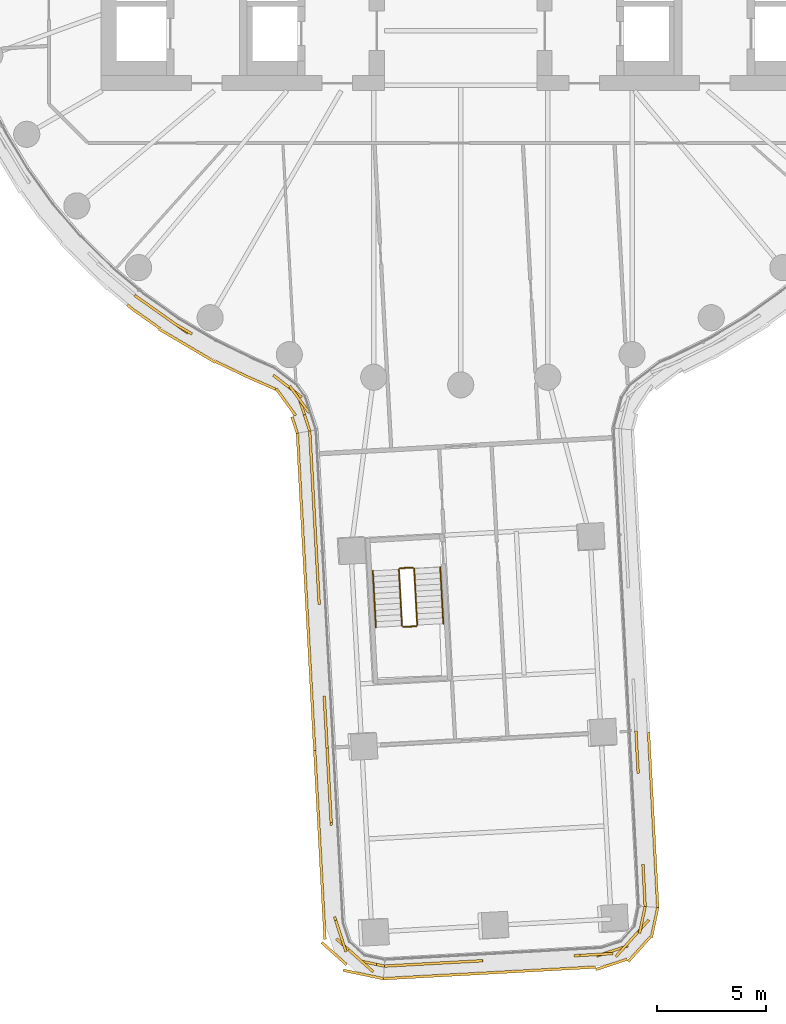
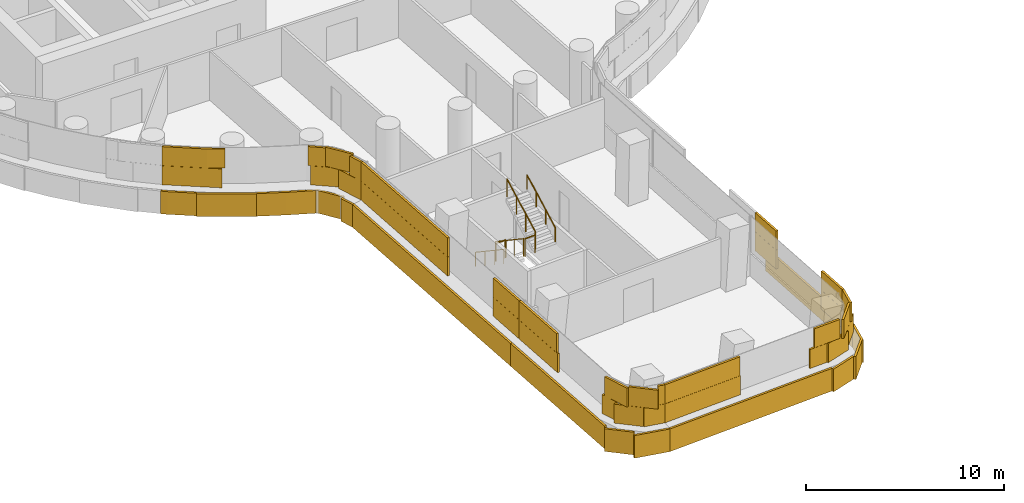
# One storey, part 25 of 31: 6 railings, 5 coverings.
"""IFC4 building model written with IfcOpenShell, lengths in metres."""

from ifc_helpers import new_model, si_unit, direction, frame, origin, origin_2d, place, context, subcontext, project, spatial, rectangle, circle, extrude, material, layer, layer_set, type_object, element, save


model = new_model("IFC4")

# Units and contexts
model_context = context("Model", 3, precision=1e-05, world=origin(), true_north=direction((0.0, 1.0)))
body_context = subcontext(model_context, "Body", "Model", "MODEL_VIEW")
ifc_project = project(units=[si_unit("LENGTHUNIT", "METRE"), si_unit("AREAUNIT", "SQUARE_METRE"), si_unit("VOLUMEUNIT", "CUBIC_METRE"), si_unit("PLANEANGLEUNIT", "RADIAN"), si_unit("MASSUNIT", "GRAM", prefix="KILO")], contexts=[model_context])

# Site, building, storey
site_placement = place(None, origin())
site = spatial("IfcSite", under=ifc_project, at=site_placement, CompositionType="ELEMENT")
building_placement = place(site_placement, origin())
building = spatial("IfcBuilding", under=site, at=building_placement, Name="Tamarind Cross Interchange Tower", CompositionType="ELEMENT")
storey_placement = place(building_placement, frame((0.0, 0.0, 45.25)))
storey = spatial("IfcBuildingStorey", under=building, at=storey_placement, Name="L09", CompositionType="ELEMENT", Elevation=45.25)

# Railings
ifc_material_1 = material(Name="Stair guard")
railing_type_1 = type_object("IfcRailingType", Name="Stair guard", PredefinedType="GUARDRAIL", material=ifc_material_1)
railing_1_placement = place(storey_placement, frame((-2.83642578125, -31.46923828125, 0.17041015625)))
element("IfcRailing", 1, at=railing_1_placement, inside=storey, type_object=railing_type_1, Name="L09 ST6 stair guard 1", PredefinedType="GUARDRAIL", context=body_context, shape_type="SweptSolid", body=[
    extrude(circle(Radius=0.02392578125, at=origin_2d()), frame((0.0, 0.0, 1.076171875), z_axis=(0.045702405566, -0.83505048246, 0.548271813855), x_axis=(0.998505663725, 0.054648325775, 0.0)), (0.0, 0.0, 1.0), 3.109130859375),
    extrude(circle(Radius=0.02099609375, at=origin_2d()), origin(), (0.0, 0.0, 1.0), 1.052001953125),
    extrude(circle(Radius=0.02099609375, at=origin_2d()), frame((0.04736328125, -0.865478515625, 0.568115234375)), (0.0, 0.0, 1.0), 1.052001953125),
    extrude(circle(Radius=0.02099609375, at=origin_2d()), frame((0.0947265625, -1.730712890625, 1.136474609375)), (0.0, 0.0, 1.0), 1.052001953125),
    extrude(circle(Radius=0.02099609375, at=origin_2d()), frame((0.14208984375, -2.59619140625, 1.70458984375)), (0.0, 0.0, 1.0), 1.052001953125),
])
railing_2_placement = place(storey_placement, frame((-2.6416015625, -34.112548828125, 1.875)))
element("IfcRailing", 2, at=railing_2_placement, inside=storey, type_object=railing_type_1, Name="L09 ST6 stair guard 2", PredefinedType="GUARDRAIL", context=body_context, shape_type="SweptSolid", body=[
    extrude(circle(Radius=0.02392578125, at=origin_2d()), frame((0.0, 0.0, 1.076171875), z_axis=(0.998512487531, 0.054523501764, 0.0), x_axis=(-0.054523501764, 0.998512487531, 0.0)), (0.0, 0.0, 1.0), 0.60009765625),
    extrude(circle(Radius=0.02099609375, at=origin_2d()), origin(), (0.0, 0.0, 1.0), 1.052001953125),
    extrude(circle(Radius=0.02099609375, at=origin_2d()), frame((0.59912109375, 0.03271484375, 0.0)), (0.0, 0.0, 1.0), 1.052001953125),
])
railing_3_placement = place(storey_placement, frame((-1.995361328125, -34.027099609375, 2.04541015625)))
element("IfcRailing", 3, at=railing_3_placement, inside=storey, type_object=railing_type_1, Name="L09 ST6 stair guard 3", PredefinedType="GUARDRAIL", context=body_context, shape_type="SweptSolid", body=[
    extrude(circle(Radius=0.02392578125, at=origin_2d()), frame((0.0, 0.0, 1.076171875), z_axis=(-0.045702405566, 0.83505048246, 0.548271813855), x_axis=(-0.998505663725, -0.054648325775, 0.0)), (0.0, 0.0, 1.0), 3.109130859375),
    extrude(circle(Radius=0.02099609375, at=origin_2d()), origin(), (0.0, 0.0, 1.0), 1.052001953125),
    extrude(circle(Radius=0.02099609375, at=origin_2d()), frame((-0.04736328125, 0.865478515625, 0.568115234375)), (0.0, 0.0, 1.0), 1.052001953125),
    extrude(circle(Radius=0.02099609375, at=origin_2d()), frame((-0.0947265625, 1.730712890625, 1.136474609375)), (0.0, 0.0, 1.0), 1.052001953125),
    extrude(circle(Radius=0.02099609375, at=origin_2d()), frame((-0.14208984375, 2.59619140625, 1.70458984375)), (0.0, 0.0, 1.0), 1.052001953125),
])
railing_4_placement = place(storey_placement, frame((-2.789306640625, -31.41650390625, 0.0)))
element("IfcRailing", 4, at=railing_4_placement, inside=storey, type_object=railing_type_1, Name="L09 ST6 stair guard 4", PredefinedType="GUARDRAIL", context=body_context, shape_type="SweptSolid", body=[
    extrude(circle(Radius=0.02392578125, at=origin_2d()), frame((0.0, 0.0, 1.076171875), z_axis=(0.998512487531, 0.054523501764, 0.0), x_axis=(-0.054523501764, 0.998512487531, 0.0)), (0.0, 0.0, 1.0), 0.60009765625),
    extrude(circle(Radius=0.02099609375, at=origin_2d()), origin(), (0.0, 0.0, 1.0), 1.052001953125),
    extrude(circle(Radius=0.02099609375, at=origin_2d()), frame((0.59912109375, 0.03271484375, 0.0)), (0.0, 0.0, 1.0), 1.052001953125),
])
ifc_material_2 = material(Name="Stair handrail")
railing_type_2 = type_object("IfcRailingType", Name="Stair handrail", PredefinedType="HANDRAIL", material=ifc_material_2)
railing_5_placement = place(storey_placement, frame((-4.03466796875, -31.534912109375, 0.17041015625)))
element("IfcRailing", 5, at=railing_5_placement, inside=storey, type_object=railing_type_2, Name="L09 ST6 stair handrail 1", PredefinedType="HANDRAIL", context=body_context, shape_type="SweptSolid", body=[
    extrude(circle(Radius=0.02392578125, at=origin_2d()), frame((0.0, 0.0, 0.8759765625), z_axis=(0.045702405566, -0.83505048246, 0.548271813855), x_axis=(0.998505663725, 0.054648325775, 0.0)), (0.0, 0.0, 1.0), 3.109130859375),
    extrude(circle(Radius=0.02099609375, at=origin_2d()), origin(), (0.0, 0.0, 1.0), 0.851806640625),
    extrude(circle(Radius=0.02099609375, at=origin_2d()), frame((0.04736328125, -0.865478515625, 0.568115234375)), (0.0, 0.0, 1.0), 0.851806640625),
    extrude(circle(Radius=0.02099609375, at=origin_2d()), frame((0.0947265625, -1.730712890625, 1.136474609375)), (0.0, 0.0, 1.0), 0.851806640625),
    extrude(circle(Radius=0.02099609375, at=origin_2d()), frame((0.14208984375, -2.59619140625, 1.70458984375)), (0.0, 0.0, 1.0), 0.851806640625),
])
railing_6_placement = place(storey_placement, frame((-0.797119140625, -33.96142578125, 2.04541015625)))
element("IfcRailing", 6, at=railing_6_placement, inside=storey, type_object=railing_type_2, Name="L09 ST6 stair handrail 2", PredefinedType="HANDRAIL", context=body_context, shape_type="SweptSolid", body=[
    extrude(circle(Radius=0.02392578125, at=origin_2d()), frame((0.0, 0.0, 0.8759765625), z_axis=(-0.04570540259, 0.835026710891, 0.54830776784), x_axis=(-0.998505383266, -0.054653449926, 0.0)), (0.0, 0.0, 1.0), 3.10888671875),
    extrude(circle(Radius=0.02099609375, at=origin_2d()), origin(), (0.0, 0.0, 1.0), 0.851806640625),
    extrude(circle(Radius=0.02099609375, at=origin_2d()), frame((-0.04736328125, 0.865234375, 0.568115234375)), (0.0, 0.0, 1.0), 0.851806640625),
    extrude(circle(Radius=0.02099609375, at=origin_2d()), frame((-0.0947265625, 1.730712890625, 1.136474609375)), (0.0, 0.0, 1.0), 0.851806640625),
    extrude(circle(Radius=0.02099609375, at=origin_2d()), frame((-0.14208984375, 2.595947265625, 1.70458984375)), (0.0, 0.0, 1.0), 0.851806640625),
])

# Coverings
ifc_material_3 = material(Name="Terracotta", Category="masonry")
ifc_layer = layer(ifc_material_3, 0.1201171875)
ifc_layer_set = layer_set([ifc_layer], Name="Terracotta")
covering_type = type_object("IfcCoveringType", Name="Terracotta baguette screen unit", PredefinedType="MOLDING", material=ifc_layer_set)
covering_1_placement = place(storey_placement, origin())
element("IfcCovering", 7, at=covering_1_placement, inside=storey, type_object=covering_type, Name="SCR-L09-02-01", PredefinedType="MOLDING", context=body_context, shape_type="SweptSolid", body=[
    extrude(rectangle(XDim=1.52001953125, YDim=0.1201171875, at=origin_2d()), frame((-14.34423828125, -19.330810546875, 1.404052734375), z_axis=(0.0, 0.0, 1.0), x_axis=(0.816341886298, -0.577568978284, 0.0)), (0.0, 0.0, 1.0), 1.1669921875),
    extrude(rectangle(XDim=1.52001953125, YDim=0.1201171875, at=origin_2d()), frame((-13.119873046875, -20.197265625, 1.404052734375), z_axis=(0.0, 0.0, 1.0), x_axis=(0.816341886298, -0.577568978284, 0.0)), (0.0, 0.0, 1.0), 1.1669921875),
    extrude(rectangle(XDim=1.52001953125, YDim=0.1201171875, at=origin_2d()), frame((-7.893310546875, -23.103515625, 1.404052734375), z_axis=(0.0, 0.0, 1.0), x_axis=(0.791188928194, -0.611571810912, 0.0)), (0.0, 0.0, 1.0), 1.1669921875),
    extrude(rectangle(XDim=1.52001953125, YDim=0.1201171875, at=origin_2d()), frame((-7.17041015625, -24.3759765625, 1.404052734375), z_axis=(0.0, 0.0, 1.0), x_axis=(0.309360702199, -0.950944770181, 0.0)), (0.0, 0.0, 1.0), 1.1669921875),
    extrude(rectangle(XDim=0.037109375, YDim=0.1201171875, at=origin_2d()), frame((-6.934326171875, -25.102294921875, 1.404052734375), z_axis=(0.0, 0.0, 1.0), x_axis=(0.309360702199, -0.950944770181, 0.0)), (0.0, 0.0, 1.0), 1.1669921875),
    extrude(rectangle(XDim=0.76318359375, YDim=0.1201171875, at=origin_2d()), frame((-14.65185546875, -19.11328125, 2.5791015625), z_axis=(0.0, 0.0, 1.0), x_axis=(0.816341886298, -0.577568978284, 0.0)), (0.0, 0.0, 1.0), 1.1669921875),
    extrude(rectangle(XDim=1.52001953125, YDim=0.1201171875, at=origin_2d()), frame((-13.732177734375, -19.76416015625, 2.5791015625), z_axis=(0.0, 0.0, 1.0), x_axis=(0.816341886298, -0.577568978284, 0.0)), (0.0, 0.0, 1.0), 1.1669921875),
    extrude(rectangle(XDim=0.922119140625, YDim=0.1201171875, at=origin_2d()), frame((-12.72900390625, -20.431884765625, 2.5791015625), z_axis=(0.0, 0.0, 1.0), x_axis=(0.861248933065, -0.508183308752, 0.0)), (0.0, 0.0, 1.0), 1.1669921875),
    extrude(rectangle(XDim=0.89794921875, YDim=0.1201171875, at=origin_2d()), frame((-8.24462890625, -22.83203125, 2.5791015625), z_axis=(0.0, 0.0, 1.0), x_axis=(0.791188928194, -0.611571810912, 0.0)), (0.0, 0.0, 1.0), 1.1669921875),
    extrude(rectangle(XDim=1.52001953125, YDim=0.1201171875, at=origin_2d()), frame((-7.4052734375, -23.664306640625, 2.5791015625), z_axis=(0.0, 0.0, 1.0), x_axis=(0.586503905821, -0.809946398508, 0.0)), (0.0, 0.0, 1.0), 1.1669921875),
    extrude(rectangle(XDim=0.787109375, YDim=0.1201171875, at=origin_2d()), frame((-7.05029296875, -24.74560546875, 2.5791015625), z_axis=(0.0, 0.0, 1.0), x_axis=(0.309360702199, -0.950944770181, 0.0)), (0.0, 0.0, 1.0), 1.1669921875),
    extrude(rectangle(XDim=0.34326171875, YDim=0.1201171875, at=origin_2d()), frame((-15.1689453125, -19.436767578125, 0.00390625), z_axis=(0.0, 0.0, 1.0), x_axis=(0.765858396687, -0.643009266048, 0.0)), (0.0, 0.0, 1.0), 1.39208984375),
    extrude(rectangle(XDim=1.52001953125, YDim=0.1201171875, at=origin_2d()), frame((-14.431640625, -19.97216796875, 0.00390625), z_axis=(0.0, 0.0, 1.0), x_axis=(0.816341886298, -0.577568978284, 0.0)), (0.0, 0.0, 1.0), 1.39208984375),
    extrude(rectangle(XDim=1.52001953125, YDim=0.1201171875, at=origin_2d()), frame((-13.196533203125, -20.822265625, 0.00390625), z_axis=(0.0, 0.0, 1.0), x_axis=(0.861248933065, -0.508183308752, 0.0)), (0.0, 0.0, 1.0), 1.39208984375),
    extrude(rectangle(XDim=1.52001953125, YDim=0.1201171875, at=origin_2d()), frame((-11.90478515625, -21.58447265625, 0.00390625), z_axis=(0.0, 0.0, 1.0), x_axis=(0.861248933065, -0.508183308752, 0.0)), (0.0, 0.0, 1.0), 1.39208984375),
    extrude(rectangle(XDim=1.52001953125, YDim=0.1201171875, at=origin_2d()), frame((-10.566162109375, -22.259765625, 0.00390625), z_axis=(0.0, 0.0, 1.0), x_axis=(0.900272776334, -0.435326231914, 0.0)), (0.0, 0.0, 1.0), 1.39208984375),
    extrude(rectangle(XDim=1.52001953125, YDim=0.1201171875, at=origin_2d()), frame((-9.205078125, -22.8896484375, 0.00390625), z_axis=(0.0, 0.0, 1.0), x_axis=(0.915926371071, -0.40134633769, 0.0)), (0.0, 0.0, 1.0), 1.39208984375),
    extrude(rectangle(XDim=1.52001953125, YDim=0.1201171875, at=origin_2d()), frame((-8.023193359375, -23.789794921875, 0.00390625), z_axis=(0.0, 0.0, 1.0), x_axis=(0.586503905821, -0.809946398508, 0.0)), (0.0, 0.0, 1.0), 1.39208984375),
    extrude(rectangle(XDim=0.7919921875, YDim=0.1201171875, at=origin_2d()), frame((-7.62158203125, -24.8447265625, 0.00390625), z_axis=(0.0, 0.0, 1.0), x_axis=(0.309360702199, -0.950944770181, 0.0)), (0.0, 0.0, 1.0), 1.39208984375),
])
covering_2_placement = place(storey_placement, origin())
element("IfcCovering", 8, at=covering_2_placement, inside=storey, type_object=covering_type, Name="SCR-L09-03-00", PredefinedType="MOLDING", context=body_context, shape_type="SweptSolid", body=[
    extrude(rectangle(XDim=0.760009765625, YDim=0.1201171875, at=origin_2d()), frame((-6.909423828125, -25.489501953125, 1.404052734375), z_axis=(0.0, 0.0, 1.0), x_axis=(0.054678317891, -0.998504021801, 0.0)), (0.0, 0.0, 1.0), 1.1669921875),
    extrude(rectangle(XDim=1.52001953125, YDim=0.1201171875, at=origin_2d()), frame((-6.847900390625, -26.61279296875, 1.404052734375), z_axis=(0.0, 0.0, 1.0), x_axis=(0.054678317891, -0.998504021801, 0.0)), (0.0, 0.0, 1.0), 1.1669921875),
    extrude(rectangle(XDim=1.52001953125, YDim=0.1201171875, at=origin_2d()), frame((-6.76611328125, -28.110595703125, 1.404052734375), z_axis=(0.0, 0.0, 1.0), x_axis=(0.054678317891, -0.998504021801, 0.0)), (0.0, 0.0, 1.0), 1.1669921875),
    extrude(rectangle(XDim=1.52001953125, YDim=0.1201171875, at=origin_2d()), frame((-6.68408203125, -29.6083984375, 1.404052734375), z_axis=(0.0, 0.0, 1.0), x_axis=(0.054678317891, -0.998504021801, 0.0)), (0.0, 0.0, 1.0), 1.1669921875),
    extrude(rectangle(XDim=1.52001953125, YDim=0.1201171875, at=origin_2d()), frame((-6.60205078125, -31.106201171875, 1.404052734375), z_axis=(0.0, 0.0, 1.0), x_axis=(0.054678317891, -0.998504021801, 0.0)), (0.0, 0.0, 1.0), 1.1669921875),
    extrude(rectangle(XDim=1.240234375, YDim=0.1201171875, at=origin_2d()), frame((-6.52734375, -32.46923828125, 1.404052734375), z_axis=(0.0, 0.0, 1.0), x_axis=(0.054678317891, -0.998504021801, 0.0)), (0.0, 0.0, 1.0), 1.1669921875),
    extrude(rectangle(XDim=0.579833984375, YDim=0.1201171875, at=origin_2d()), frame((-6.24853515625, -37.5615234375, 1.404052734375), z_axis=(0.0, 0.0, 1.0), x_axis=(0.054678317891, -0.998504021801, 0.0)), (0.0, 0.0, 1.0), 1.1669921875),
    extrude(rectangle(XDim=1.52001953125, YDim=0.1201171875, at=origin_2d()), frame((-6.19189453125, -38.594970703125, 1.404052734375), z_axis=(0.0, 0.0, 1.0), x_axis=(0.054678317891, -0.998504021801, 0.0)), (0.0, 0.0, 1.0), 1.1669921875),
    extrude(rectangle(XDim=0.34033203125, YDim=0.1201171875, at=origin_2d()), frame((-6.141845703125, -39.5087890625, 1.404052734375), z_axis=(0.0, 0.0, 1.0), x_axis=(0.054678317891, -0.998504021801, 0.0)), (0.0, 0.0, 1.0), 1.1669921875),
    extrude(rectangle(XDim=1.510009765625, YDim=0.1201171875, at=origin_2d()), frame((-6.888916015625, -25.864013671875, 2.5791015625), z_axis=(0.0, 0.0, 1.0), x_axis=(0.054678317891, -0.998504021801, 0.0)), (0.0, 0.0, 1.0), 1.1669921875),
    extrude(rectangle(XDim=1.52001953125, YDim=0.1201171875, at=origin_2d()), frame((-6.80712890625, -27.36181640625, 2.5791015625), z_axis=(0.0, 0.0, 1.0), x_axis=(0.054678317891, -0.998504021801, 0.0)), (0.0, 0.0, 1.0), 1.1669921875),
    extrude(rectangle(XDim=1.52001953125, YDim=0.1201171875, at=origin_2d()), frame((-6.72509765625, -28.859619140625, 2.5791015625), z_axis=(0.0, 0.0, 1.0), x_axis=(0.054678317891, -0.998504021801, 0.0)), (0.0, 0.0, 1.0), 1.1669921875),
    extrude(rectangle(XDim=1.52001953125, YDim=0.1201171875, at=origin_2d()), frame((-6.64306640625, -30.357177734375, 2.5791015625), z_axis=(0.0, 0.0, 1.0), x_axis=(0.054678317891, -0.998504021801, 0.0)), (0.0, 0.0, 1.0), 1.1669921875),
    extrude(rectangle(XDim=1.52001953125, YDim=0.1201171875, at=origin_2d()), frame((-6.56103515625, -31.85498046875, 2.5791015625), z_axis=(0.0, 0.0, 1.0), x_axis=(0.054678317891, -0.998504021801, 0.0)), (0.0, 0.0, 1.0), 1.1669921875),
    extrude(rectangle(XDim=0.490234375, YDim=0.1201171875, at=origin_2d()), frame((-6.5068359375, -32.84375, 2.5791015625), z_axis=(0.0, 0.0, 1.0), x_axis=(0.054678317891, -0.998504021801, 0.0)), (0.0, 0.0, 1.0), 1.1669921875),
    extrude(rectangle(XDim=1.329833984375, YDim=0.1201171875, at=origin_2d()), frame((-6.22802734375, -37.93603515625, 2.5791015625), z_axis=(0.0, 0.0, 1.0), x_axis=(0.054678317891, -0.998504021801, 0.0)), (0.0, 0.0, 1.0), 1.1669921875),
    extrude(rectangle(XDim=1.09033203125, YDim=0.1201171875, at=origin_2d()), frame((-6.162353515625, -39.13427734375, 2.5791015625), z_axis=(0.0, 0.0, 1.0), x_axis=(0.054678317891, -0.998504021801, 0.0)), (0.0, 0.0, 1.0), 1.1669921875),
    extrude(rectangle(XDim=0.760009765625, YDim=0.1201171875, at=origin_2d()), frame((-7.478271484375, -25.600830078125, 0.00390625), z_axis=(0.0, 0.0, 1.0), x_axis=(0.054678317891, -0.998504021801, 0.0)), (0.0, 0.0, 1.0), 1.39208984375),
    extrude(rectangle(XDim=1.52001953125, YDim=0.1201171875, at=origin_2d()), frame((-7.4169921875, -26.71923828125, 0.00390625), z_axis=(0.0, 0.0, 1.0), x_axis=(0.054678317891, -0.998504021801, 0.0)), (0.0, 0.0, 1.0), 1.39208984375),
    extrude(rectangle(XDim=1.52001953125, YDim=0.1201171875, at=origin_2d()), frame((-7.3349609375, -28.216796875, 0.00390625), z_axis=(0.0, 0.0, 1.0), x_axis=(0.054678317891, -0.998504021801, 0.0)), (0.0, 0.0, 1.0), 1.39208984375),
    extrude(rectangle(XDim=1.52001953125, YDim=0.1201171875, at=origin_2d()), frame((-7.2529296875, -29.714599609375, 0.00390625), z_axis=(0.0, 0.0, 1.0), x_axis=(0.054678317891, -0.998504021801, 0.0)), (0.0, 0.0, 1.0), 1.39208984375),
    extrude(rectangle(XDim=1.52001953125, YDim=0.1201171875, at=origin_2d()), frame((-7.1708984375, -31.21240234375, 0.00390625), z_axis=(0.0, 0.0, 1.0), x_axis=(0.054678317891, -0.998504021801, 0.0)), (0.0, 0.0, 1.0), 1.39208984375),
    extrude(rectangle(XDim=1.52001953125, YDim=0.1201171875, at=origin_2d()), frame((-7.089111328125, -32.710205078125, 0.00390625), z_axis=(0.0, 0.0, 1.0), x_axis=(0.054678317891, -0.998504021801, 0.0)), (0.0, 0.0, 1.0), 1.39208984375),
    extrude(rectangle(XDim=1.52001953125, YDim=0.1201171875, at=origin_2d()), frame((-7.007080078125, -34.2080078125, 0.00390625), z_axis=(0.0, 0.0, 1.0), x_axis=(0.054678317891, -0.998504021801, 0.0)), (0.0, 0.0, 1.0), 1.39208984375),
    extrude(rectangle(XDim=1.52001953125, YDim=0.1201171875, at=origin_2d()), frame((-6.925048828125, -35.70556640625, 0.00390625), z_axis=(0.0, 0.0, 1.0), x_axis=(0.054678317891, -0.998504021801, 0.0)), (0.0, 0.0, 1.0), 1.39208984375),
    extrude(rectangle(XDim=1.52001953125, YDim=0.1201171875, at=origin_2d()), frame((-6.843017578125, -37.203369140625, 0.00390625), z_axis=(0.0, 0.0, 1.0), x_axis=(0.054678317891, -0.998504021801, 0.0)), (0.0, 0.0, 1.0), 1.39208984375),
    extrude(rectangle(XDim=1.52001953125, YDim=0.1201171875, at=origin_2d()), frame((-6.760986328125, -38.701171875, 0.00390625), z_axis=(0.0, 0.0, 1.0), x_axis=(0.054678317891, -0.998504021801, 0.0)), (0.0, 0.0, 1.0), 1.39208984375),
    extrude(rectangle(XDim=0.340576171875, YDim=0.1201171875, at=origin_2d()), frame((-6.711181640625, -39.610107421875, 0.00390625), z_axis=(0.0, 0.0, 1.0), x_axis=(0.054678317891, -0.998504021801, 0.0)), (0.0, 0.0, 1.0), 1.39208984375),
])
covering_3_placement = place(storey_placement, origin())
element("IfcCovering", 9, at=covering_3_placement, inside=storey, type_object=covering_type, Name="SCR-L09-03-01", PredefinedType="MOLDING", context=body_context, shape_type="SweptSolid", body=[
    extrude(rectangle(XDim=1.1796875, YDim=0.1201171875, at=origin_2d()), frame((-6.100830078125, -40.257568359375, 1.404052734375), z_axis=(0.0, 0.0, 1.0), x_axis=(0.054678317891, -0.998504021801, 0.0)), (0.0, 0.0, 1.0), 1.1669921875),
    extrude(rectangle(XDim=1.52001953125, YDim=0.1201171875, at=origin_2d()), frame((-6.02783203125, -41.59033203125, 1.404052734375), z_axis=(0.0, 0.0, 1.0), x_axis=(0.054678317891, -0.998504021801, 0.0)), (0.0, 0.0, 1.0), 1.1669921875),
    extrude(rectangle(XDim=0.881103515625, YDim=0.1201171875, at=origin_2d()), frame((-5.963134765625, -42.774169921875, 1.404052734375), z_axis=(0.0, 0.0, 1.0), x_axis=(0.054678317891, -0.998504021801, 0.0)), (0.0, 0.0, 1.0), 1.1669921875),
    extrude(rectangle(XDim=0.93896484375, YDim=0.1201171875, at=origin_2d()), frame((-5.645751953125, -47.859375, 1.404052734375), z_axis=(0.0, 0.0, 1.0), x_axis=(0.311247056843, -0.950329032287, 0.0)), (0.0, 0.0, 1.0), 1.1669921875),
    extrude(rectangle(XDim=1.52001953125, YDim=0.1201171875, at=origin_2d()), frame((-5.140625, -48.9306640625, 1.404052734375), z_axis=(0.0, 0.0, 1.0), x_axis=(0.744712374222, -0.667385555493, 0.0)), (0.0, 0.0, 1.0), 1.1669921875),
    extrude(rectangle(XDim=1.121826171875, YDim=0.1201171875, at=origin_2d()), frame((-4.047607421875, -49.564208984375, 1.404052734375), z_axis=(0.0, 0.0, 1.0), x_axis=(0.978632612335, -0.205616658064, 0.0)), (0.0, 0.0, 1.0), 1.1669921875),
    extrude(rectangle(XDim=0.4296875, YDim=0.1201171875, at=origin_2d()), frame((-6.121337890625, -39.883056640625, 2.5791015625), z_axis=(0.0, 0.0, 1.0), x_axis=(0.054678317891, -0.998504021801, 0.0)), (0.0, 0.0, 1.0), 1.1669921875),
    extrude(rectangle(XDim=1.52001953125, YDim=0.1201171875, at=origin_2d()), frame((-6.06884765625, -40.841552734375, 2.5791015625), z_axis=(0.0, 0.0, 1.0), x_axis=(0.054678317891, -0.998504021801, 0.0)), (0.0, 0.0, 1.0), 1.1669921875),
    extrude(rectangle(XDim=1.52001953125, YDim=0.1201171875, at=origin_2d()), frame((-5.98681640625, -42.33935546875, 2.5791015625), z_axis=(0.0, 0.0, 1.0), x_axis=(0.054678317891, -0.998504021801, 0.0)), (0.0, 0.0, 1.0), 1.1669921875),
    extrude(rectangle(XDim=1.52001953125, YDim=0.1201171875, at=origin_2d()), frame((-5.501220703125, -48.30078125, 2.5791015625), z_axis=(0.0, 0.0, 1.0), x_axis=(0.311247056843, -0.950329032287, 0.0)), (0.0, 0.0, 1.0), 1.1669921875),
    extrude(rectangle(XDim=1.52001953125, YDim=0.1201171875, at=origin_2d()), frame((-4.582275390625, -49.43115234375, 2.5791015625), z_axis=(0.0, 0.0, 1.0), x_axis=(0.744712374222, -0.667385555493, 0.0)), (0.0, 0.0, 1.0), 1.1669921875),
    extrude(rectangle(XDim=0.371826171875, YDim=0.1201171875, at=origin_2d()), frame((-3.6806640625, -49.64111328125, 2.5791015625), z_axis=(0.0, 0.0, 1.0), x_axis=(0.978632612335, -0.205616658064, 0.0)), (0.0, 0.0, 1.0), 1.1669921875),
    extrude(rectangle(XDim=1.179443359375, YDim=0.1201171875, at=origin_2d()), frame((-6.669677734375, -40.368896484375, 0.00390625), z_axis=(0.0, 0.0, 1.0), x_axis=(0.054678317891, -0.998504021801, 0.0)), (0.0, 0.0, 1.0), 1.39208984375),
    extrude(rectangle(XDim=1.52001953125, YDim=0.1201171875, at=origin_2d()), frame((-6.596923828125, -41.69677734375, 0.00390625), z_axis=(0.0, 0.0, 1.0), x_axis=(0.054678317891, -0.998504021801, 0.0)), (0.0, 0.0, 1.0), 1.39208984375),
    extrude(rectangle(XDim=1.52001953125, YDim=0.1201171875, at=origin_2d()), frame((-6.514892578125, -43.194580078125, 0.00390625), z_axis=(0.0, 0.0, 1.0), x_axis=(0.054678317891, -0.998504021801, 0.0)), (0.0, 0.0, 1.0), 1.39208984375),
    extrude(rectangle(XDim=1.52001953125, YDim=0.1201171875, at=origin_2d()), frame((-6.432861328125, -44.692138671875, 0.00390625), z_axis=(0.0, 0.0, 1.0), x_axis=(0.054678317891, -0.998504021801, 0.0)), (0.0, 0.0, 1.0), 1.39208984375),
    extrude(rectangle(XDim=1.52001953125, YDim=0.1201171875, at=origin_2d()), frame((-6.350830078125, -46.18994140625, 0.00390625), z_axis=(0.0, 0.0, 1.0), x_axis=(0.054678317891, -0.998504021801, 0.0)), (0.0, 0.0, 1.0), 1.39208984375),
    extrude(rectangle(XDim=1.52001953125, YDim=0.1201171875, at=origin_2d()), frame((-6.268798828125, -47.687744140625, 0.00390625), z_axis=(0.0, 0.0, 1.0), x_axis=(0.054678317891, -0.998504021801, 0.0)), (0.0, 0.0, 1.0), 1.39208984375),
    extrude(rectangle(XDim=1.52001953125, YDim=0.1201171875, at=origin_2d()), frame((-5.8095703125, -49.10205078125, 0.00390625), z_axis=(0.0, 0.0, 1.0), x_axis=(0.744712374222, -0.667385555493, 0.0)), (0.0, 0.0, 1.0), 1.39208984375),
    extrude(rectangle(XDim=1.52001953125, YDim=0.1201171875, at=origin_2d()), frame((-4.65234375, -50.023681640625, 0.00390625), z_axis=(0.0, 0.0, 1.0), x_axis=(0.978632612335, -0.205616658064, 0.0)), (0.0, 0.0, 1.0), 1.39208984375),
    extrude(rectangle(XDim=0.388671875, YDim=0.1201171875, at=origin_2d()), frame((-3.738037109375, -50.2158203125, 0.00390625), z_axis=(0.0, 0.0, 1.0), x_axis=(0.978632612335, -0.205616658064, 0.0)), (0.0, 0.0, 1.0), 1.39208984375),
])
covering_4_placement = place(storey_placement, origin())
element("IfcCovering", 10, at=covering_4_placement, inside=storey, type_object=covering_type, Name="SCR-L09-04-00", PredefinedType="MOLDING", context=body_context, shape_type="SweptSolid", body=[
    extrude(rectangle(XDim=0.760009765625, YDim=0.1201171875, at=origin_2d()), frame((-3.129150390625, -49.657958984375, 1.404052734375), z_axis=(0.0, 0.0, 1.0), x_axis=(0.998504021801, 0.054678317891, 0.0)), (0.0, 0.0, 1.0), 1.1669921875),
    extrude(rectangle(XDim=1.52001953125, YDim=0.1201171875, at=origin_2d()), frame((-2.005859375, -49.596435546875, 1.404052734375), z_axis=(0.0, 0.0, 1.0), x_axis=(0.998504021801, 0.054678317891, 0.0)), (0.0, 0.0, 1.0), 1.1669921875),
    extrude(rectangle(XDim=1.52001953125, YDim=0.1201171875, at=origin_2d()), frame((-0.508056640625, -49.514404296875, 1.404052734375), z_axis=(0.0, 0.0, 1.0), x_axis=(0.998504021801, 0.054678317891, 0.0)), (0.0, 0.0, 1.0), 1.1669921875),
    extrude(rectangle(XDim=0.784912109375, YDim=0.1201171875, at=origin_2d()), frame((0.62744140625, -49.4521484375, 1.404052734375), z_axis=(0.0, 0.0, 1.0), x_axis=(0.998504021801, 0.054678317891, 0.0)), (0.0, 0.0, 1.0), 1.1669921875),
    extrude(rectangle(XDim=1.03515625, YDim=0.1201171875, at=origin_2d()), frame((5.719970703125, -49.17333984375, 1.404052734375), z_axis=(0.0, 0.0, 1.0), x_axis=(0.998504021801, 0.054678317891, 0.0)), (0.0, 0.0, 1.0), 1.1669921875),
    extrude(rectangle(XDim=1.52001953125, YDim=0.1201171875, at=origin_2d()), frame((6.957763671875, -48.982177734375, 1.404052734375), z_axis=(0.0, 0.0, 1.0), x_axis=(0.950329032287, 0.311247056843, 0.0)), (0.0, 0.0, 1.0), 1.1669921875),
    extrude(rectangle(XDim=1.52001953125, YDim=0.1201171875, at=origin_2d()), frame((8.127197265625, -48.122802734375, 1.404052734375), z_axis=(0.0, 0.0, 1.0), x_axis=(0.667385555493, 0.744712374222, 0.0)), (0.0, 0.0, 1.0), 1.1669921875),
    extrude(rectangle(XDim=0.509521484375, YDim=0.1201171875, at=origin_2d()), frame((8.4150390625, -47.186279296875, 1.404052734375), z_axis=(0.0, 0.0, 1.0), x_axis=(0.205616658064, 0.978632612335, 0.0)), (0.0, 0.0, 1.0), 1.1669921875),
    extrude(rectangle(XDim=1.510009765625, YDim=0.1201171875, at=origin_2d()), frame((-2.7548828125, -49.637451171875, 2.5791015625), z_axis=(0.0, 0.0, 1.0), x_axis=(0.998504021801, 0.054678317891, 0.0)), (0.0, 0.0, 1.0), 1.1669921875),
    extrude(rectangle(XDim=1.52001953125, YDim=0.1201171875, at=origin_2d()), frame((-1.257080078125, -49.555419921875, 2.5791015625), z_axis=(0.0, 0.0, 1.0), x_axis=(0.998504021801, 0.054678317891, 0.0)), (0.0, 0.0, 1.0), 1.1669921875),
    extrude(rectangle(XDim=1.52001953125, YDim=0.1201171875, at=origin_2d()), frame((0.24072265625, -49.473388671875, 2.5791015625), z_axis=(0.0, 0.0, 1.0), x_axis=(0.998504021801, 0.054678317891, 0.0)), (0.0, 0.0, 1.0), 1.1669921875),
    extrude(rectangle(XDim=1.52001953125, YDim=0.1201171875, at=origin_2d()), frame((6.231689453125, -49.145263671875, 2.5791015625), z_axis=(0.0, 0.0, 1.0), x_axis=(0.998504021801, 0.054678317891, 0.0)), (0.0, 0.0, 1.0), 1.1669921875),
    extrude(rectangle(XDim=1.52001953125, YDim=0.1201171875, at=origin_2d()), frame((7.62646484375, -48.681396484375, 2.5791015625), z_axis=(0.0, 0.0, 1.0), x_axis=(0.667385555493, 0.744712374222, 0.0)), (0.0, 0.0, 1.0), 1.1669921875),
    extrude(rectangle(XDim=1.259521484375, YDim=0.1201171875, at=origin_2d()), frame((8.337890625, -47.55322265625, 2.5791015625), z_axis=(0.0, 0.0, 1.0), x_axis=(0.205616658064, 0.978632612335, 0.0)), (0.0, 0.0, 1.0), 1.1669921875),
    extrude(rectangle(XDim=0.760009765625, YDim=0.1201171875, at=origin_2d()), frame((-3.168212890625, -50.23486328125, 0.00390625), z_axis=(0.0, 0.0, 1.0), x_axis=(0.998504021801, 0.054678317891, 0.0)), (0.0, 0.0, 1.0), 1.39208984375),
    extrude(rectangle(XDim=1.52001953125, YDim=0.1201171875, at=origin_2d()), frame((-2.050048828125, -50.173583984375, 0.00390625), z_axis=(0.0, 0.0, 1.0), x_axis=(0.998504021801, 0.054678317891, 0.0)), (0.0, 0.0, 1.0), 1.39208984375),
    extrude(rectangle(XDim=1.52001953125, YDim=0.1201171875, at=origin_2d()), frame((-0.55224609375, -50.091552734375, 0.00390625), z_axis=(0.0, 0.0, 1.0), x_axis=(0.998504021801, 0.054678317891, 0.0)), (0.0, 0.0, 1.0), 1.39208984375),
    extrude(rectangle(XDim=1.52001953125, YDim=0.1201171875, at=origin_2d()), frame((0.945556640625, -50.009765625, 0.00390625), z_axis=(0.0, 0.0, 1.0), x_axis=(0.998504021801, 0.054678317891, 0.0)), (0.0, 0.0, 1.0), 1.39208984375),
    extrude(rectangle(XDim=1.52001953125, YDim=0.1201171875, at=origin_2d()), frame((2.443359375, -49.927734375, 0.00390625), z_axis=(0.0, 0.0, 1.0), x_axis=(0.998504021801, 0.054678317891, 0.0)), (0.0, 0.0, 1.0), 1.39208984375),
    extrude(rectangle(XDim=1.52001953125, YDim=0.1201171875, at=origin_2d()), frame((3.94091796875, -49.845703125, 0.00390625), z_axis=(0.0, 0.0, 1.0), x_axis=(0.998504021801, 0.054678317891, 0.0)), (0.0, 0.0, 1.0), 1.39208984375),
    extrude(rectangle(XDim=1.52001953125, YDim=0.1201171875, at=origin_2d()), frame((5.438720703125, -49.763671875, 0.00390625), z_axis=(0.0, 0.0, 1.0), x_axis=(0.998504021801, 0.054678317891, 0.0)), (0.0, 0.0, 1.0), 1.39208984375),
    extrude(rectangle(XDim=1.52001953125, YDim=0.1201171875, at=origin_2d()), frame((6.9208984375, -49.59814453125, 0.00390625), z_axis=(0.0, 0.0, 1.0), x_axis=(0.950329032287, 0.311247056843, 0.0)), (0.0, 0.0, 1.0), 1.39208984375),
    extrude(rectangle(XDim=1.52001953125, YDim=0.1201171875, at=origin_2d()), frame((8.197998046875, -48.90380859375, 0.00390625), z_axis=(0.0, 0.0, 1.0), x_axis=(0.667385555493, 0.744712374222, 0.0)), (0.0, 0.0, 1.0), 1.39208984375),
    extrude(rectangle(XDim=1.426513671875, YDim=0.1201171875, at=origin_2d()), frame((8.89697265625, -47.684326171875, 0.00390625), z_axis=(0.0, 0.0, 1.0), x_axis=(0.205616658064, 0.978632612335, 0.0)), (0.0, 0.0, 1.0), 1.39208984375),
])
covering_5_placement = place(storey_placement, origin())
element("IfcCovering", 11, at=covering_5_placement, inside=storey, type_object=covering_type, Name="SCR-L09-05-00", PredefinedType="MOLDING", context=body_context, shape_type="SweptSolid", body=[
    extrude(rectangle(XDim=0.760009765625, YDim=0.1201171875, at=origin_2d()), frame((8.44677734375, -46.5673828125, 1.404052734375), z_axis=(0.0, 0.0, 1.0), x_axis=(-0.052477900426, 0.998622085659, 0.0)), (0.0, 0.0, 1.0), 1.1669921875),
    extrude(rectangle(XDim=1.187255859375, YDim=0.1201171875, at=origin_2d()), frame((8.396240234375, -45.60498046875, 1.404052734375), z_axis=(0.0, 0.0, 1.0), x_axis=(-0.052477900426, 0.998622085659, 0.0)), (0.0, 0.0, 1.0), 1.1669921875),
    extrude(rectangle(XDim=0.6328125, YDim=0.1201171875, at=origin_2d()), frame((8.12841796875, -40.511962890625, 1.404052734375), z_axis=(0.0, 0.0, 1.0), x_axis=(-0.052477900426, 0.998622085659, 0.0)), (0.0, 0.0, 1.0), 1.1669921875),
    extrude(rectangle(XDim=1.314453125, YDim=0.1201171875, at=origin_2d()), frame((8.077880859375, -39.5498046875, 1.404052734375), z_axis=(0.0, 0.0, 1.0), x_axis=(-0.052477900426, 0.998622085659, 0.0)), (0.0, 0.0, 1.0), 1.1669921875),
    extrude(rectangle(XDim=1.510009765625, YDim=0.1201171875, at=origin_2d()), frame((8.427001953125, -46.19287109375, 2.5791015625), z_axis=(0.0, 0.0, 1.0), x_axis=(-0.052477900426, 0.998622085659, 0.0)), (0.0, 0.0, 1.0), 1.1669921875),
    extrude(rectangle(XDim=0.437255859375, YDim=0.1201171875, at=origin_2d()), frame((8.37646484375, -45.23046875, 2.5791015625), z_axis=(0.0, 0.0, 1.0), x_axis=(-0.052477900426, 0.998622085659, 0.0)), (0.0, 0.0, 1.0), 1.1669921875),
    extrude(rectangle(XDim=1.3828125, YDim=0.1201171875, at=origin_2d()), frame((8.10888671875, -40.137451171875, 2.5791015625), z_axis=(0.0, 0.0, 1.0), x_axis=(-0.052477900426, 0.998622085659, 0.0)), (0.0, 0.0, 1.0), 1.1669921875),
    extrude(rectangle(XDim=0.564453125, YDim=0.1201171875, at=origin_2d()), frame((8.058349609375, -39.17529296875, 2.5791015625), z_axis=(0.0, 0.0, 1.0), x_axis=(-0.052477900426, 0.998622085659, 0.0)), (0.0, 0.0, 1.0), 1.1669921875),
    extrude(rectangle(XDim=0.760009765625, YDim=0.1201171875, at=origin_2d()), frame((9.023681640625, -46.60693359375, 0.00390625), z_axis=(0.0, 0.0, 1.0), x_axis=(-0.052477900426, 0.998622085659, 0.0)), (0.0, 0.0, 1.0), 1.39208984375),
    extrude(rectangle(XDim=1.52001953125, YDim=0.1201171875, at=origin_2d()), frame((8.96484375, -45.488525390625, 0.00390625), z_axis=(0.0, 0.0, 1.0), x_axis=(-0.052477900426, 0.998622085659, 0.0)), (0.0, 0.0, 1.0), 1.39208984375),
    extrude(rectangle(XDim=1.52001953125, YDim=0.1201171875, at=origin_2d()), frame((8.88623046875, -43.99072265625, 0.00390625), z_axis=(0.0, 0.0, 1.0), x_axis=(-0.052477900426, 0.998622085659, 0.0)), (0.0, 0.0, 1.0), 1.39208984375),
    extrude(rectangle(XDim=1.52001953125, YDim=0.1201171875, at=origin_2d()), frame((8.807373046875, -42.49267578125, 0.00390625), z_axis=(0.0, 0.0, 1.0), x_axis=(-0.052477900426, 0.998622085659, 0.0)), (0.0, 0.0, 1.0), 1.39208984375),
    extrude(rectangle(XDim=1.52001953125, YDim=0.1201171875, at=origin_2d()), frame((8.728759765625, -40.99462890625, 0.00390625), z_axis=(0.0, 0.0, 1.0), x_axis=(-0.052477900426, 0.998622085659, 0.0)), (0.0, 0.0, 1.0), 1.39208984375),
    extrude(rectangle(XDim=1.30908203125, YDim=0.1201171875, at=origin_2d()), frame((8.655517578125, -39.60205078125, 0.00390625), z_axis=(0.0, 0.0, 1.0), x_axis=(-0.052477900426, 0.998622085659, 0.0)), (0.0, 0.0, 1.0), 1.39208984375),
])

save(model, "model.ifc")
